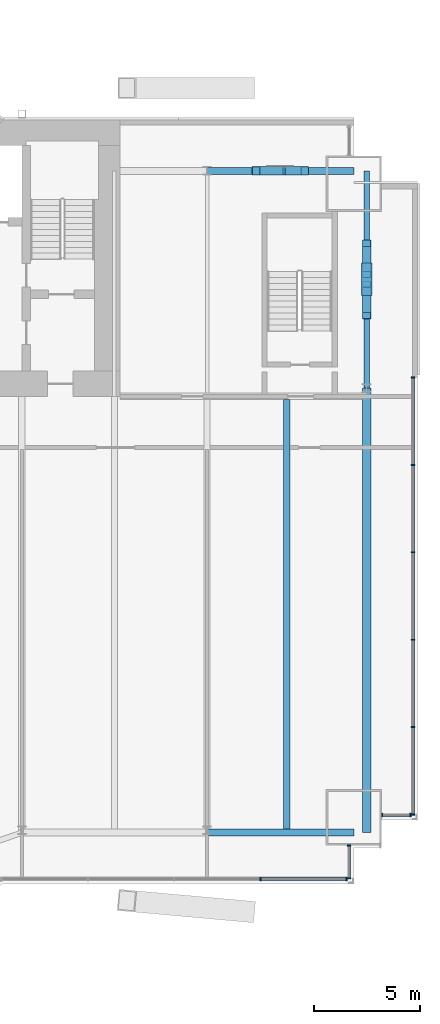
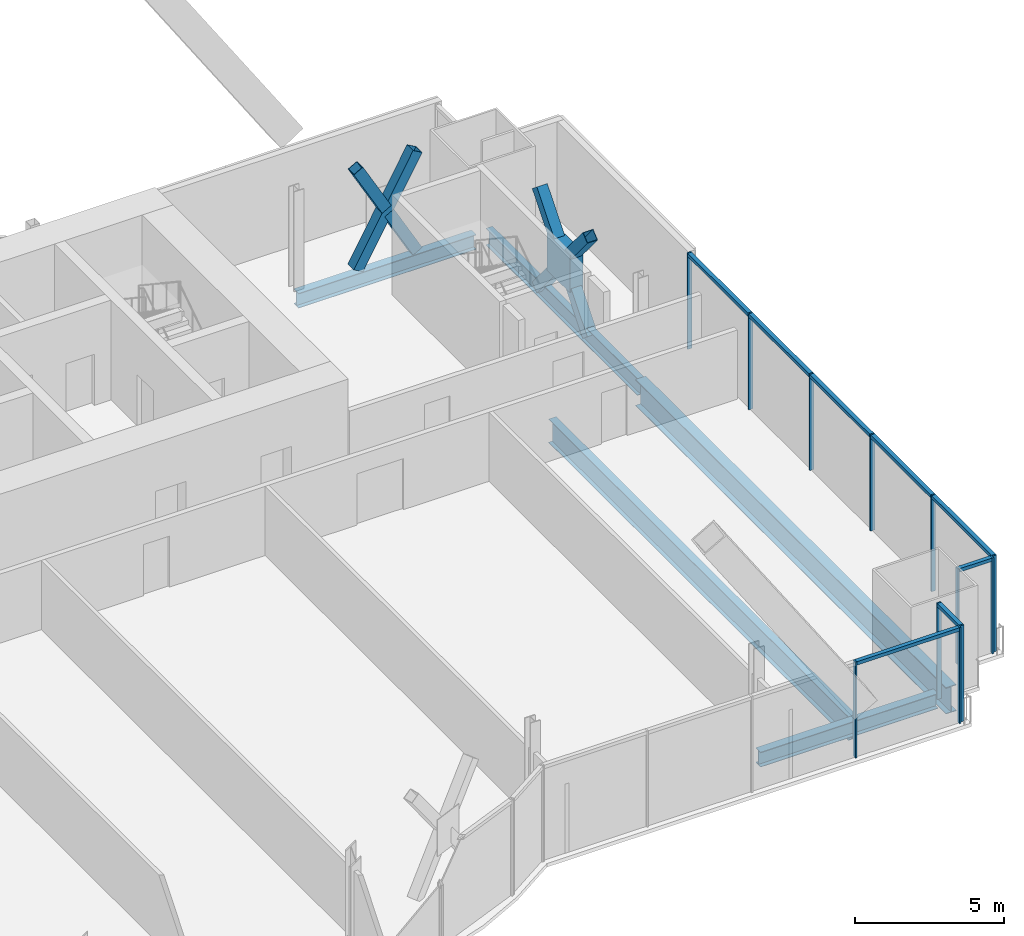
# One storey, part 13 of 22: 28 members, 5 beams, 4 elements without a shape of their own.
"""IFC4 building model written with IfcOpenShell, lengths in metres."""

from ifc_helpers import new_model, si_unit, direction, frame, origin, origin_2d, place, context, subcontext, project, spatial, rectangle, hollow_rectangle, i_section, extrude, material, material_profile, profile_set, type_object, element, aggregate, save


model = new_model("IFC4")

# Units and contexts
model_context = context("Model", 3, precision=1e-05, world=origin(), true_north=direction((0.0, 1.0)))
body_context = subcontext(model_context, "Body", "Model", "MODEL_VIEW")
ifc_project = project(units=[si_unit("LENGTHUNIT", "METRE"), si_unit("AREAUNIT", "SQUARE_METRE"), si_unit("VOLUMEUNIT", "CUBIC_METRE"), si_unit("PLANEANGLEUNIT", "RADIAN"), si_unit("MASSUNIT", "GRAM", prefix="KILO")], contexts=[model_context])

# Site, building, storey
site_placement = place(None, origin())
site = spatial("IfcSite", under=ifc_project, at=site_placement, CompositionType="ELEMENT")
building_placement = place(site_placement, origin())
building = spatial("IfcBuilding", under=site, at=building_placement, Name="Bicima Exchange Tower", CompositionType="ELEMENT")
storey_placement = place(building_placement, frame((0.0, 0.0, 144.5)))
storey = spatial("IfcBuildingStorey", under=building, at=storey_placement, Name="L31", CompositionType="ELEMENT", Elevation=144.5)

# Member
ifc_material_1 = material(Name="Steel ASTM A572 Gr 50", Category="steel")
ifc_material_profile_1 = material_profile(ifc_material_1, rectangle(XDim=0.50634765625, YDim=1.529541015625, at=origin_2d()))
ifc_profile_set_1 = profile_set([ifc_material_profile_1], Name="Steel ASTM A572 Gr 50")
member_type_1 = type_object("IfcMemberType", Name="Brace crossing node 506 x 1530", PredefinedType="POST", material=ifc_profile_set_1)
member_1_placement = place(storey_placement, frame((33.60009765625, -7.5, 0.798583984375), z_axis=(0.0, 0.0, 1.0), x_axis=(1.0, 0.0, 0.0)))
element("IfcMember", 1, at=member_1_placement, inside=storey, type_object=member_type_1, Name="Brace crossing node block", PredefinedType="POST", context=body_context, shape_type="SweptSolid", body=[
    extrude(rectangle(XDim=0.50634765625, YDim=1.529541015625, at=origin_2d()), origin(), (0.0, 0.0, 1.0), 1.509521484375),
])

# Curtain wall, members
ifc_material_2 = material(Name="Anodised bronze aluminium", Category="aluminium")
curtain_wall_type_1 = type_object("IfcCurtainWallType", Name="End face glass wall", PredefinedType="NOTDEFINED", material=ifc_material_2)
curtain_wall_1_placement = place(storey_placement, origin())
curtain_wall_1 = element("IfcCurtainWall", 2, at=curtain_wall_1_placement, inside=storey, type_object=curtain_wall_type_1, Name="End face glass wall L31 run 19", PredefinedType="NOTDEFINED")
ifc_material_profile_2 = material_profile(ifc_material_2, rectangle(XDim=0.159912109375, YDim=0.06005859375, at=origin_2d()))
ifc_profile_set_2 = profile_set([ifc_material_profile_2], Name="Anodised bronze aluminium")
member_type_2 = type_object("IfcMemberType", Name="End face glass wall mullion 60 x 160", PredefinedType="MULLION", material=ifc_profile_set_2)
member_2_placement = place(storey_placement, frame((35.77001953125, -32.639892578125, 0.0), z_axis=(0.0, 0.0, 1.0), x_axis=(-1.0, 0.0, 0.0)))
member_2 = element("IfcMember", 3, at=member_2_placement, type_object=member_type_2, Name="End face glass wall mullion 1", PredefinedType="MULLION", context=body_context, shape_type="SweptSolid", body=[
    extrude(rectangle(XDim=0.159912109375, YDim=0.06005859375, at=origin_2d()), origin(), (0.0, 0.0, 1.0), 3.949951171875),
])
member_3_placement = place(storey_placement, frame((35.77001953125, -28.533935546875, 0.0), z_axis=(0.0, 0.0, 1.0), x_axis=(-1.0, 0.0, 0.0)))
member_3 = element("IfcMember", 4, at=member_3_placement, type_object=member_type_2, Name="End face glass wall mullion 2", PredefinedType="MULLION", context=body_context, shape_type="SweptSolid", body=[
    extrude(rectangle(XDim=0.159912109375, YDim=0.06005859375, at=origin_2d()), origin(), (0.0, 0.0, 1.0), 3.949951171875),
])
member_4_placement = place(storey_placement, frame((35.77001953125, -24.427978515625, 0.0), z_axis=(0.0, 0.0, 1.0), x_axis=(-1.0, 0.0, 0.0)))
member_4 = element("IfcMember", 5, at=member_4_placement, type_object=member_type_2, Name="End face glass wall mullion 3", PredefinedType="MULLION", context=body_context, shape_type="SweptSolid", body=[
    extrude(rectangle(XDim=0.159912109375, YDim=0.06005859375, at=origin_2d()), origin(), (0.0, 0.0, 1.0), 3.949951171875),
])
member_5_placement = place(storey_placement, frame((35.77001953125, -20.322021484375, 0.0), z_axis=(0.0, 0.0, 1.0), x_axis=(-1.0, 0.0, 0.0)))
member_5 = element("IfcMember", 6, at=member_5_placement, type_object=member_type_2, Name="End face glass wall mullion 4", PredefinedType="MULLION", context=body_context, shape_type="SweptSolid", body=[
    extrude(rectangle(XDim=0.159912109375, YDim=0.06005859375, at=origin_2d()), origin(), (0.0, 0.0, 1.0), 3.949951171875),
])
member_6_placement = place(storey_placement, frame((35.77001953125, -16.216064453125, 0.0), z_axis=(0.0, 0.0, 1.0), x_axis=(-1.0, 0.0, 0.0)))
member_6 = element("IfcMember", 7, at=member_6_placement, type_object=member_type_2, Name="End face glass wall mullion 5", PredefinedType="MULLION", context=body_context, shape_type="SweptSolid", body=[
    extrude(rectangle(XDim=0.159912109375, YDim=0.06005859375, at=origin_2d()), origin(), (0.0, 0.0, 1.0), 3.949951171875),
])
member_7_placement = place(storey_placement, frame((35.77001953125, -12.110107421875, 0.0), z_axis=(0.0, 0.0, 1.0), x_axis=(-1.0, 0.0, 0.0)))
member_7 = element("IfcMember", 8, at=member_7_placement, type_object=member_type_2, Name="End face glass wall mullion 6", PredefinedType="MULLION", context=body_context, shape_type="SweptSolid", body=[
    extrude(rectangle(XDim=0.159912109375, YDim=0.06005859375, at=origin_2d()), origin(), (0.0, 0.0, 1.0), 3.949951171875),
])
ifc_material_profile_3 = material_profile(ifc_material_2, rectangle(XDim=0.159912109375, YDim=0.139892578125, at=origin_2d()))
ifc_profile_set_3 = profile_set([ifc_material_profile_3], Name="Anodised bronze aluminium")
member_type_3 = type_object("IfcMemberType", Name="End face glass wall transom 140 x 160", PredefinedType="USERDEFINED", material=ifc_profile_set_3)
member_8_placement = place(storey_placement, frame((35.77001953125, -32.610107421875, 3.8798828125), z_axis=(0.0, 1.0, 0.0), x_axis=(-1.0, 0.0, 0.0)))
member_8 = element("IfcMember", 9, at=member_8_placement, type_object=member_type_3, Name="End face glass wall transom 1.1", ObjectType="TRANSOM", PredefinedType="USERDEFINED", context=body_context, shape_type="SweptSolid", body=[
    extrude(rectangle(XDim=0.159912109375, YDim=0.139892578125, at=origin_2d()), origin(), (0.0, 0.0, 1.0), 4.046142578125),
])
member_9_placement = place(storey_placement, frame((35.77001953125, -28.50390625, 3.8798828125), z_axis=(0.0, 1.0, 0.0), x_axis=(-1.0, 0.0, 0.0)))
member_9 = element("IfcMember", 10, at=member_9_placement, type_object=member_type_3, Name="End face glass wall transom 2.1", ObjectType="TRANSOM", PredefinedType="USERDEFINED", context=body_context, shape_type="SweptSolid", body=[
    extrude(rectangle(XDim=0.159912109375, YDim=0.139892578125, at=origin_2d()), origin(), (0.0, 0.0, 1.0), 4.0458984375),
])
member_10_placement = place(storey_placement, frame((35.77001953125, -24.39794921875, 3.8798828125), z_axis=(0.0, 1.0, 0.0), x_axis=(-1.0, 0.0, 0.0)))
member_10 = element("IfcMember", 11, at=member_10_placement, type_object=member_type_3, Name="End face glass wall transom 3.1", ObjectType="TRANSOM", PredefinedType="USERDEFINED", context=body_context, shape_type="SweptSolid", body=[
    extrude(rectangle(XDim=0.159912109375, YDim=0.139892578125, at=origin_2d()), origin(), (0.0, 0.0, 1.0), 4.0458984375),
])
member_11_placement = place(storey_placement, frame((35.77001953125, -20.2919921875, 3.8798828125), z_axis=(0.0, 1.0, 0.0), x_axis=(-1.0, 0.0, 0.0)))
member_11 = element("IfcMember", 12, at=member_11_placement, type_object=member_type_3, Name="End face glass wall transom 4.1", ObjectType="TRANSOM", PredefinedType="USERDEFINED", context=body_context, shape_type="SweptSolid", body=[
    extrude(rectangle(XDim=0.159912109375, YDim=0.139892578125, at=origin_2d()), origin(), (0.0, 0.0, 1.0), 4.0458984375),
])
member_12_placement = place(storey_placement, frame((35.77001953125, -16.18603515625, 3.8798828125), z_axis=(0.0, 1.0, 0.0), x_axis=(-1.0, 0.0, 0.0)))
member_12 = element("IfcMember", 13, at=member_12_placement, type_object=member_type_3, Name="End face glass wall transom 5.1", ObjectType="TRANSOM", PredefinedType="USERDEFINED", context=body_context, shape_type="SweptSolid", body=[
    extrude(rectangle(XDim=0.159912109375, YDim=0.139892578125, at=origin_2d()), origin(), (0.0, 0.0, 1.0), 4.046142578125),
])
aggregate(curtain_wall_1, [member_2, member_3, member_4, member_5, member_6, member_7, member_8, member_9, member_10, member_11, member_12])

# Beams
ifc_material_3 = material(Name="Steel ASTM A992 Gr 50", Category="steel")
ifc_material_profile_4 = material_profile(ifc_material_3, i_section(OverallWidth=0.256591796875, OverallDepth=0.693359375, WebThickness=0.014404296875, FlangeThickness=0.023681640625, at=origin_2d()))
ifc_profile_set_4 = profile_set([ifc_material_profile_4], Name="Steel ASTM A992 Gr 50")
beam_type_1 = type_object("IfcBeamType", Name="End girder W27x114", PredefinedType="BEAM", material=ifc_profile_set_4)
beam_1_placement = place(storey_placement, frame((33.60009765625, -2.39990234375, -0.49658203125), z_axis=(0.0, -1.0, 0.0), x_axis=(1.0, 0.0, 0.0)))
element("IfcBeam", 14, at=beam_1_placement, inside=storey, type_object=beam_type_1, Name="End girder", PredefinedType="BEAM", context=body_context, shape_type="SweptSolid", body=[
    extrude(i_section(OverallWidth=0.256591796875, OverallDepth=0.693359375, WebThickness=0.014404296875, FlangeThickness=0.023681640625, at=origin_2d()), origin(), (0.0, 0.0, 1.0), 10.2001953125),
])
ifc_material_profile_5 = material_profile(ifc_material_3, i_section(OverallWidth=0.4013671875, OverallDepth=1.089599609375, WebThickness=0.01806640625, FlangeThickness=0.031005859375, at=origin_2d()))
ifc_profile_set_5 = profile_set([ifc_material_profile_5], Name="Steel ASTM A992 Gr 50")
beam_type_2 = type_object("IfcBeamType", Name="End girder W44x230", PredefinedType="BEAM", material=ifc_profile_set_5)
beam_2_placement = place(storey_placement, frame((33.60009765625, -12.60009765625, -0.69482421875), z_axis=(0.0, -1.0, 0.0), x_axis=(1.0, 0.0, 0.0)))
element("IfcBeam", 15, at=beam_2_placement, inside=storey, type_object=beam_type_2, Name="End girder", PredefinedType="BEAM", context=body_context, shape_type="SweptSolid", body=[
    extrude(i_section(OverallWidth=0.4013671875, OverallDepth=1.089599609375, WebThickness=0.01806640625, FlangeThickness=0.031005859375, at=origin_2d()), origin(), (0.0, 0.0, 1.0), 20.89990234375),
])
ifc_material_profile_6 = material_profile(ifc_material_3, i_section(OverallWidth=0.2998046875, OverallDepth=0.97021484375, WebThickness=0.01611328125, FlangeThickness=0.02099609375, at=origin_2d()))
ifc_profile_set_6 = profile_set([ifc_material_profile_6], Name="Steel ASTM A992 Gr 50")
beam_type_3 = type_object("IfcBeamType", Name="Floor beam W40x149", PredefinedType="JOIST", material=ifc_profile_set_6)
beam_3_placement = place(storey_placement, frame((29.85009765625, -13.15234375, -0.635009765625), z_axis=(0.0, -1.0, 0.0), x_axis=(1.0, 0.0, 0.0)))
element("IfcBeam", 16, at=beam_3_placement, inside=storey, type_object=beam_type_3, Name="Floor beam", PredefinedType="JOIST", context=body_context, shape_type="SweptSolid", body=[
    extrude(i_section(OverallWidth=0.2998046875, OverallDepth=0.97021484375, WebThickness=0.01611328125, FlangeThickness=0.02099609375, at=origin_2d()), origin(), (0.0, 0.0, 1.0), 20.18505859375),
])
ifc_material_profile_7 = material_profile(ifc_material_3, i_section(OverallWidth=0.3251953125, OverallDepth=0.612060546875, WebThickness=0.0126953125, FlangeThickness=0.01904296875, at=origin_2d()))
ifc_profile_set_7 = profile_set([ifc_material_profile_7], Name="Steel ASTM A992 Gr 50")
beam_type_4 = type_object("IfcBeamType", Name="Front girder W24x104", PredefinedType="BEAM", material=ifc_profile_set_7)
beam_4_placement = place(storey_placement, frame((26.10009765625, -33.5, -0.4560546875), z_axis=(1.0, 0.0, 0.0), x_axis=(0.0, 1.0, 0.0)))
element("IfcBeam", 17, at=beam_4_placement, inside=storey, type_object=beam_type_4, Name="Front girder", PredefinedType="BEAM", context=body_context, shape_type="SweptSolid", body=[
    extrude(i_section(OverallWidth=0.3251953125, OverallDepth=0.612060546875, WebThickness=0.0126953125, FlangeThickness=0.01904296875, at=origin_2d()), origin(), (0.0, 0.0, 1.0), 6.89990234375),
])

# Curtain wall, members
curtain_wall_type_2 = type_object("IfcCurtainWallType", Name="Front glass wall", PredefinedType="NOTDEFINED", material=ifc_material_2)
curtain_wall_2_placement = place(storey_placement, origin())
curtain_wall_2 = element("IfcCurtainWall", 18, at=curtain_wall_2_placement, inside=storey, type_object=curtain_wall_type_2, Name="Front glass wall L31 run 16", PredefinedType="NOTDEFINED")
member_type_4 = type_object("IfcMemberType", Name="Front glass wall mullion 60 x 160", PredefinedType="MULLION", material=ifc_profile_set_2)
member_13_placement = place(storey_placement, frame((28.610595703125, -35.669921875, 0.0), z_axis=(0.0, 0.0, 1.0), x_axis=(0.0, 1.0, 0.0)))
member_13 = element("IfcMember", 19, at=member_13_placement, type_object=member_type_4, Name="Front glass wall mullion 4", PredefinedType="MULLION", context=body_context, shape_type="SweptSolid", body=[
    extrude(rectangle(XDim=0.159912109375, YDim=0.06005859375, at=origin_2d()), origin(), (0.0, 0.0, 1.0), 3.949951171875),
])
member_14_placement = place(storey_placement, frame((32.659912109375, -35.669921875, 0.0), z_axis=(0.0, 0.0, 1.0), x_axis=(0.0, 1.0, 0.0)))
member_14 = element("IfcMember", 20, at=member_14_placement, type_object=member_type_4, Name="Front glass wall mullion 5", PredefinedType="MULLION", context=body_context, shape_type="SweptSolid", body=[
    extrude(rectangle(XDim=0.159912109375, YDim=0.06005859375, at=origin_2d()), origin(), (0.0, 0.0, 1.0), 3.949951171875),
])

curtain_wall_3_placement = place(storey_placement, origin())
curtain_wall_3 = element("IfcCurtainWall", 21, at=curtain_wall_3_placement, inside=storey, type_object=curtain_wall_type_2, Name="Front glass wall L31 run 17", PredefinedType="NOTDEFINED")
member_15_placement = place(storey_placement, frame((32.77001953125, -35.639892578125, 0.0), z_axis=(0.0, 0.0, 1.0), x_axis=(-1.0, 0.0, 0.0)))
member_15 = element("IfcMember", 22, at=member_15_placement, type_object=member_type_4, Name="Front glass wall mullion 1", PredefinedType="MULLION", context=body_context, shape_type="SweptSolid", body=[
    extrude(rectangle(XDim=0.159912109375, YDim=0.06005859375, at=origin_2d()), origin(), (0.0, 0.0, 1.0), 3.949951171875),
])
member_16_placement = place(storey_placement, frame((32.77001953125, -34.10791015625, 0.0), z_axis=(0.0, 0.0, 1.0), x_axis=(-1.0, 0.0, 0.0)))
member_16 = element("IfcMember", 23, at=member_16_placement, type_object=member_type_4, Name="Front glass wall mullion 2", PredefinedType="MULLION", context=body_context, shape_type="SweptSolid", body=[
    extrude(rectangle(XDim=0.159912109375, YDim=0.06005859375, at=origin_2d()), origin(), (0.0, 0.0, 1.0), 3.949951171875),
])

curtain_wall_4_placement = place(storey_placement, origin())
curtain_wall_4 = element("IfcCurtainWall", 24, at=curtain_wall_4_placement, inside=storey, type_object=curtain_wall_type_2, Name="Front glass wall L31 run 18", PredefinedType="NOTDEFINED")
member_17_placement = place(storey_placement, frame((34.330078125, -32.669921875, 0.0), z_axis=(0.0, 0.0, 1.0), x_axis=(0.0, 1.0, 0.0)))
member_17 = element("IfcMember", 25, at=member_17_placement, type_object=member_type_4, Name="Front glass wall mullion 1", PredefinedType="MULLION", context=body_context, shape_type="SweptSolid", body=[
    extrude(rectangle(XDim=0.159912109375, YDim=0.06005859375, at=origin_2d()), origin(), (0.0, 0.0, 1.0), 3.949951171875),
])
member_18_placement = place(storey_placement, frame((35.659912109375, -32.669921875, 0.0), z_axis=(0.0, 0.0, 1.0), x_axis=(0.0, 1.0, 0.0)))
member_18 = element("IfcMember", 26, at=member_18_placement, type_object=member_type_4, Name="Front glass wall mullion 2", PredefinedType="MULLION", context=body_context, shape_type="SweptSolid", body=[
    extrude(rectangle(XDim=0.159912109375, YDim=0.06005859375, at=origin_2d()), origin(), (0.0, 0.0, 1.0), 3.949951171875),
])

# Member
member_type_5 = type_object("IfcMemberType", Name="Front glass wall transom 140 x 160", PredefinedType="USERDEFINED", material=ifc_profile_set_3)
member_19_placement = place(storey_placement, frame((28.640380859375, -35.669921875, 3.8798828125), z_axis=(1.0, 0.0, 0.0), x_axis=(0.0, 1.0, 0.0)))
member_19 = element("IfcMember", 27, at=member_19_placement, type_object=member_type_5, Name="Front glass wall transom 4.1", ObjectType="TRANSOM", PredefinedType="USERDEFINED", context=body_context, shape_type="SweptSolid", body=[
    extrude(rectangle(XDim=0.159912109375, YDim=0.139892578125, at=origin_2d()), origin(), (0.0, 0.0, 1.0), 3.989501953125),
])

aggregate(curtain_wall_2, [member_13, member_14, member_19])

member_20_placement = place(storey_placement, frame((32.77001953125, -35.610107421875, 3.8798828125), z_axis=(0.0, 1.0, 0.0), x_axis=(-1.0, 0.0, 0.0)))
member_20 = element("IfcMember", 28, at=member_20_placement, type_object=member_type_5, Name="Front glass wall transom 1.1", ObjectType="TRANSOM", PredefinedType="USERDEFINED", context=body_context, shape_type="SweptSolid", body=[
    extrude(rectangle(XDim=0.159912109375, YDim=0.139892578125, at=origin_2d()), origin(), (0.0, 0.0, 1.0), 1.47216796875),
])

aggregate(curtain_wall_3, [member_15, member_16, member_20])

member_21_placement = place(storey_placement, frame((34.360107421875, -32.669921875, 3.8798828125), z_axis=(1.0, 0.0, 0.0), x_axis=(0.0, 1.0, 0.0)))
member_21 = element("IfcMember", 29, at=member_21_placement, type_object=member_type_5, Name="Front glass wall transom 1.1", ObjectType="TRANSOM", PredefinedType="USERDEFINED", context=body_context, shape_type="SweptSolid", body=[
    extrude(rectangle(XDim=0.159912109375, YDim=0.139892578125, at=origin_2d()), origin(), (0.0, 0.0, 1.0), 1.269775390625),
])

aggregate(curtain_wall_4, [member_17, member_18, member_21])

# Members
ifc_material_profile_8 = material_profile(ifc_material_1, hollow_rectangle(XDim=0.406494140625, YDim=0.406494140625, WallThickness=0.017822265625, at=origin_2d()))
ifc_profile_set_8 = profile_set([ifc_material_profile_8], Name="Steel ASTM A572 Gr 50")
member_type_6 = type_object("IfcMemberType", Name="Mega brace HSS16x16x3/4", PredefinedType="BRACE", material=ifc_profile_set_8)
member_22_placement = place(storey_placement, frame((28.39990234375, -2.39990234375, 0.0), z_axis=(0.489250010841, 0.0, 0.87214358158), x_axis=(0.0, 1.0, 0.0)))
element("IfcMember", 30, at=member_22_placement, inside=storey, type_object=member_type_6, Name="Mega brace rear", PredefinedType="BRACE", context=body_context, shape_type="SweptSolid", body=[
    extrude(hollow_rectangle(XDim=0.406494140625, YDim=0.406494140625, WallThickness=0.017822265625, at=origin_2d()), origin(), (0.0, 0.0, 1.0), 4.701171875),
])
member_23_placement = place(storey_placement, frame((30.699951171875, -2.39990234375, 0.0), z_axis=(-0.489281197616, 0.0, 0.872126085873), x_axis=(0.0, -1.0, 0.0)))
element("IfcMember", 31, at=member_23_placement, inside=storey, type_object=member_type_6, Name="Mega brace rear", PredefinedType="BRACE", context=body_context, shape_type="SweptSolid", body=[
    extrude(hollow_rectangle(XDim=0.406494140625, YDim=0.406494140625, WallThickness=0.017822265625, at=origin_2d()), origin(), (0.0, 0.0, 1.0), 2.247802734375),
])
member_24_placement = place(storey_placement, frame((29.499755859375, -2.39990234375, 2.139404296875), z_axis=(-0.489234856459, 0.0, 0.872152082624), x_axis=(0.0, -1.0, 0.0)))
element("IfcMember", 32, at=member_24_placement, inside=storey, type_object=member_type_6, Name="Mega brace rear", PredefinedType="BRACE", context=body_context, shape_type="SweptSolid", body=[
    extrude(hollow_rectangle(XDim=0.406494140625, YDim=0.406494140625, WallThickness=0.017822265625, at=origin_2d()), origin(), (0.0, 0.0, 1.0), 2.248046875),
])
member_25_placement = place(storey_placement, frame((33.60009765625, -5.800048828125, -0.49658203125), z_axis=(0.0, -0.638335869595, 0.769757960393), x_axis=(1.0, 0.0, 0.0)))
element("IfcMember", 33, at=member_25_placement, inside=storey, type_object=member_type_6, Name="Mega brace east end", PredefinedType="BRACE", context=body_context, shape_type="SweptSolid", body=[
    extrude(hollow_rectangle(XDim=0.406494140625, YDim=0.406494140625, WallThickness=0.017822265625, at=origin_2d()), origin(), (0.0, 0.0, 1.0), 2.314697265625),
])
member_26_placement = place(storey_placement, frame((33.60009765625, -7.722412109375, 1.8212890625), z_axis=(0.0, -0.63828404563, 0.76980093342), x_axis=(1.0, 0.0, 0.0)))
element("IfcMember", 34, at=member_26_placement, inside=storey, type_object=member_type_6, Name="Mega brace east end", PredefinedType="BRACE", context=body_context, shape_type="SweptSolid", body=[
    extrude(hollow_rectangle(XDim=0.406494140625, YDim=0.406494140625, WallThickness=0.017822265625, at=origin_2d()), origin(), (0.0, 0.0, 1.0), 2.31494140625),
])
member_27_placement = place(storey_placement, frame((33.60009765625, -9.199951171875, -0.49658203125), z_axis=(0.0, 0.638335869595, 0.769757960393), x_axis=(-1.0, 0.0, 0.0)))
element("IfcMember", 35, at=member_27_placement, inside=storey, type_object=member_type_6, Name="Mega brace east end", PredefinedType="BRACE", context=body_context, shape_type="SweptSolid", body=[
    extrude(hollow_rectangle(XDim=0.406494140625, YDim=0.406494140625, WallThickness=0.017822265625, at=origin_2d()), origin(), (0.0, 0.0, 1.0), 2.314697265625),
])
member_28_placement = place(storey_placement, frame((33.60009765625, -7.277587890625, 1.8212890625), z_axis=(0.0, 0.63828404563, 0.76980093342), x_axis=(-1.0, 0.0, 0.0)))
element("IfcMember", 36, at=member_28_placement, inside=storey, type_object=member_type_6, Name="Mega brace east end", PredefinedType="BRACE", context=body_context, shape_type="SweptSolid", body=[
    extrude(hollow_rectangle(XDim=0.406494140625, YDim=0.406494140625, WallThickness=0.017822265625, at=origin_2d()), origin(), (0.0, 0.0, 1.0), 2.31494140625),
])

# Beam
beam_type_5 = type_object("IfcBeamType", Name="Rear girder W24x104", PredefinedType="BEAM", material=ifc_profile_set_7)
beam_5_placement = place(storey_placement, frame((26.10009765625, -2.39990234375, -0.4560546875), z_axis=(1.0, 0.0, 0.0), x_axis=(0.0, 1.0, 0.0)))
element("IfcBeam", 37, at=beam_5_placement, inside=storey, type_object=beam_type_5, Name="Rear girder", PredefinedType="BEAM", context=body_context, shape_type="SweptSolid", body=[
    extrude(i_section(OverallWidth=0.3251953125, OverallDepth=0.612060546875, WebThickness=0.0126953125, FlangeThickness=0.01904296875, at=origin_2d()), origin(), (0.0, 0.0, 1.0), 6.89990234375),
])

save(model, "model.ifc")
